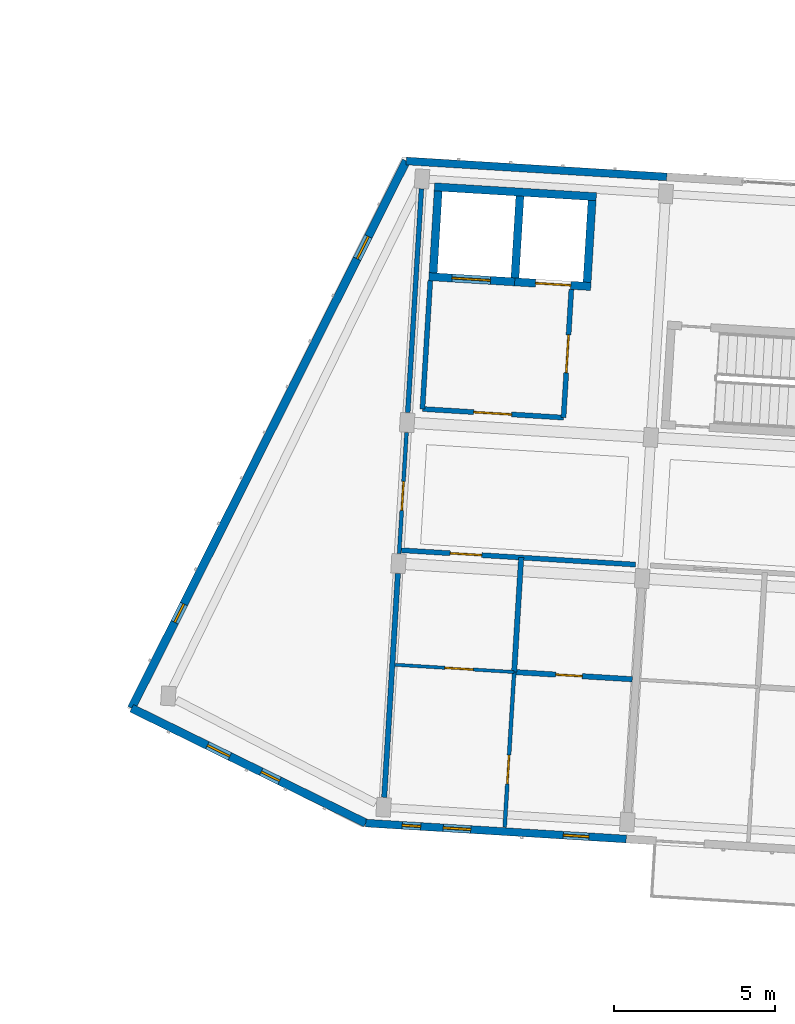
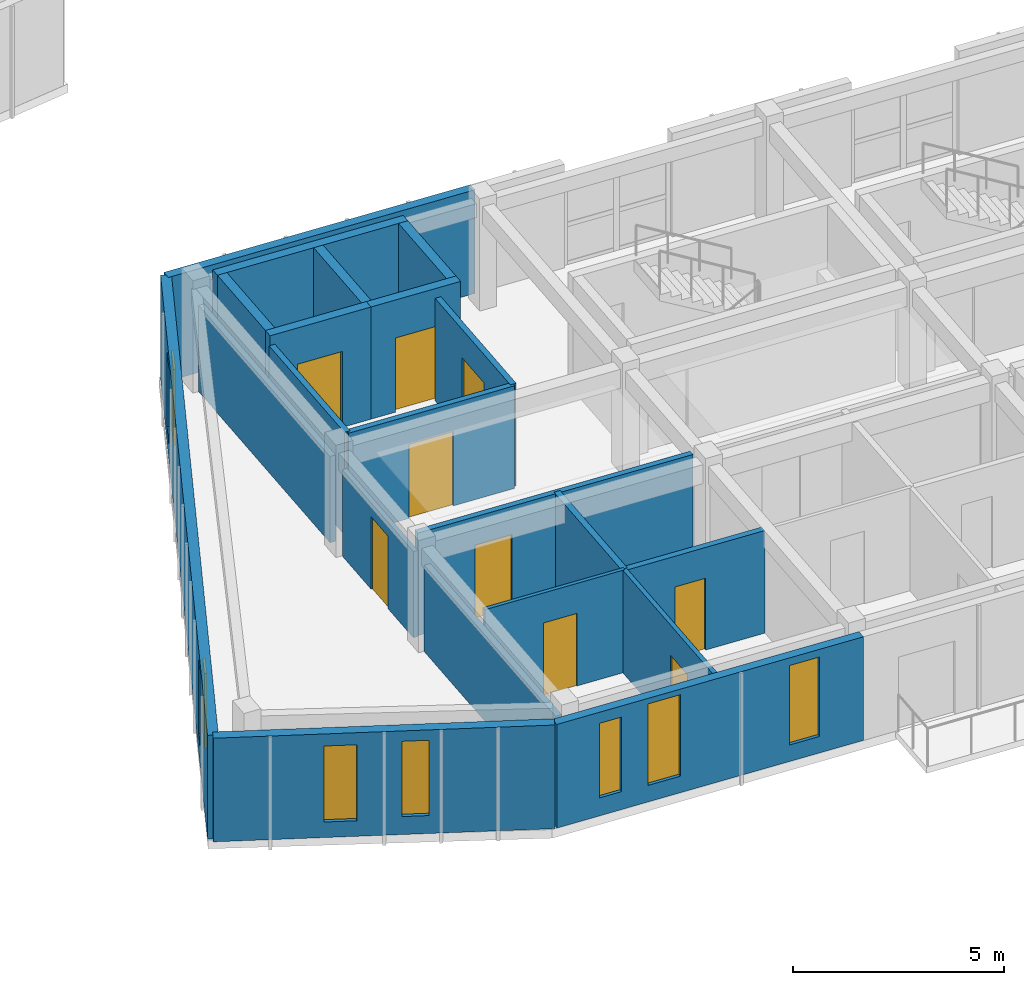
# One storey, part 20 of 64: 21 walls, 9 doors, 7 windows, 16 openings.
"""IFC4 building model written with IfcOpenShell, lengths in metres."""

from ifc_helpers import new_model, si_unit, direction, frame, frame_2d, origin, place, context, subcontext, project, spatial, rectangle, extrude, material, layer, layer_set, type_object, element, fill, save


model = new_model("IFC4")

# Units and contexts
model_context = context("Model", 3, precision=1e-05, world=origin(), true_north=direction((0.0, 1.0)))
body_context = subcontext(model_context, "Body", "Model", "MODEL_VIEW")
ifc_project = project(units=[si_unit("LENGTHUNIT", "METRE"), si_unit("AREAUNIT", "SQUARE_METRE"), si_unit("VOLUMEUNIT", "CUBIC_METRE"), si_unit("PLANEANGLEUNIT", "RADIAN"), si_unit("MASSUNIT", "GRAM", prefix="KILO")], contexts=[model_context])

# Site, building, storey
site_placement = place(None, origin())
site = spatial("IfcSite", under=ifc_project, at=site_placement, CompositionType="ELEMENT")
building_placement = place(site_placement, origin())
building = spatial("IfcBuilding", under=site, at=building_placement, Name="Kestramere Prow Commons", CompositionType="ELEMENT")
storey_placement = place(building_placement, frame((0.0, 0.0, 24.64990234375)))
storey = spatial("IfcBuildingStorey", under=building, at=storey_placement, Name="L07", CompositionType="ELEMENT", Elevation=24.64990234375)

# Wall, openings, windows
ifc_material_1 = material(Name="Weathered Zinc-Titanium Standing-Seam Cladding")
ifc_layer_1 = layer(ifc_material_1, 0.260009765625)
ifc_layer_set_1 = layer_set([ifc_layer_1], Name="Weathered Zinc-Titanium Standing-Seam Cladding")
wall_type_1 = type_object("IfcWallType", Name="EW-PROW-260", PredefinedType="SOLIDWALL", material=ifc_layer_set_1)
wall_1_placement = place(storey_placement, frame((58.94384765625, 46.008056640625, 0.0), z_axis=(0.0, 0.0, 1.0), x_axis=(-0.897775054318, 0.440454256246, 0.0)))
wall_1 = element("IfcWall", 1, at=wall_1_placement, inside=storey, type_object=wall_type_1, Name="Block C L07 PRW-S Facet Wall", PredefinedType="SOLIDWALL", context=body_context, shape_type="SweptSolid", body=[
    extrude(rectangle(XDim=8.120361328125, YDim=0.260009765625, at=frame_2d((4.06005859375, 0.0))), origin(), (0.0, 0.0, 1.0), 3.0),
])
opening_1_placement = place(wall_1_placement, frame((2.989990234375, 0.0, 0.52001953125)))
opening_1 = element("IfcOpeningElement", 2, at=opening_1_placement, cuts=wall_1, Name="Opening WN-04", PredefinedType="OPENING", context=body_context, shape_type="SweptSolid", body=[
    extrude(rectangle(XDim=0.639892578125, YDim=2.179931640625, at=frame_2d((0.31982421875, 1.08984375))), frame((0.0, 0.14501953125, 0.0), z_axis=(0.0, -1.0, 0.0), x_axis=(1.0, 0.0, 0.0)), (0.0, 0.0, 1.0), 0.2900390625),
])
opening_2_placement = place(wall_1_placement, frame((4.71044921875, 0.0, 0.449951171875)))
opening_2 = element("IfcOpeningElement", 3, at=opening_2_placement, cuts=wall_1, Name="Opening WN-11", PredefinedType="OPENING", context=body_context, shape_type="SweptSolid", body=[
    extrude(rectangle(XDim=0.780029296875, YDim=2.199951171875, at=frame_2d((0.39013671875, 1.10009765625))), frame((0.0, 0.14501953125, 0.0), z_axis=(0.0, -1.0, 0.0), x_axis=(1.0, 0.0, 0.0)), (0.0, 0.0, 1.0), 0.2900390625),
])
ifc_material_2 = material(Name="Low-E Laminated Double Glazing", Category="glass")
window_type_1 = type_object("IfcWindowType", Name="WN-NAR-640A", PartitioningType="SINGLE_PANEL", PredefinedType="WINDOW", material=ifc_material_2)
window_1_placement = place(opening_1_placement, origin())
window_1 = element("IfcWindow", 4, at=window_1_placement, inside=storey, type_object=window_type_1, Name="WN-C-L07-PRW-S-0", OverallHeight=2.179931640625, OverallWidth=0.639892578125, PartitioningType="SINGLE_PANEL", PredefinedType="WINDOW", context=body_context, shape_type="SweptSolid", body=[
    extrude(rectangle(XDim=0.639892578125, YDim=2.179931640625, at=frame_2d((0.31982421875, 1.08984375))), frame((0.0, 0.030029296875, 0.0), z_axis=(0.0, -1.0, 0.0), x_axis=(1.0, 0.0, 0.0)), (0.0, 0.0, 1.0), 0.06005859375),
])
fill(opening_1, window_1)
window_type_2 = type_object("IfcWindowType", Name="WN-NAR-780A", PartitioningType="SINGLE_PANEL", PredefinedType="WINDOW", material=ifc_material_2)
window_2_placement = place(opening_2_placement, origin())
window_2 = element("IfcWindow", 5, at=window_2_placement, inside=storey, type_object=window_type_2, Name="WN-C-L07-PRW-S-1", OverallHeight=2.199951171875, OverallWidth=0.780029296875, PartitioningType="SINGLE_PANEL", PredefinedType="WINDOW", context=body_context, shape_type="SweptSolid", body=[
    extrude(rectangle(XDim=0.780029296875, YDim=2.199951171875, at=frame_2d((0.39013671875, 1.10009765625))), frame((0.0, 0.030029296875, 0.0), z_axis=(0.0, -1.0, 0.0), x_axis=(1.0, 0.0, 0.0)), (0.0, 0.0, 1.0), 0.06005859375),
])
fill(opening_2, window_2)

wall_2_placement = place(storey_placement, frame((51.653564453125, 49.584716796875, 0.0), z_axis=(0.0, 0.0, 1.0), x_axis=(0.448621989068, 0.893721607059, 0.0)))
wall_2 = element("IfcWall", 6, at=wall_2_placement, inside=storey, type_object=wall_type_1, Name="Block C L07 PRW-N Facet Wall", PredefinedType="SOLIDWALL", context=body_context, shape_type="SweptSolid", body=[
    extrude(rectangle(XDim=19.060546875, YDim=0.260009765625, at=frame_2d((9.5302734375, 0.0))), origin(), (0.0, 0.0, 1.0), 3.0),
])
opening_3_placement = place(wall_2_placement, frame((2.989990234375, 0.0, 0.52001953125)))
opening_3 = element("IfcOpeningElement", 7, at=opening_3_placement, cuts=wall_2, Name="Opening WN-04", PredefinedType="OPENING", context=body_context, shape_type="SweptSolid", body=[
    extrude(rectangle(XDim=0.639892578125, YDim=2.179931640625, at=frame_2d((0.31982421875, 1.08984375))), frame((0.0, 0.14501953125, 0.0), z_axis=(0.0, -1.0, 0.0), x_axis=(1.0, 0.0, 0.0)), (0.0, 0.0, 1.0), 0.2900390625),
])
opening_4_placement = place(wall_2_placement, frame((15.650390625, 0.0, 0.449951171875)))
opening_4 = element("IfcOpeningElement", 8, at=opening_4_placement, cuts=wall_2, Name="Opening WN-11", PredefinedType="OPENING", context=body_context, shape_type="SweptSolid", body=[
    extrude(rectangle(XDim=0.780029296875, YDim=2.199951171875, at=frame_2d((0.39013671875, 1.10009765625))), frame((0.0, 0.14501953125, 0.0), z_axis=(0.0, -1.0, 0.0), x_axis=(1.0, 0.0, 0.0)), (0.0, 0.0, 1.0), 0.2900390625),
])
window_3_placement = place(opening_3_placement, origin())
window_3 = element("IfcWindow", 9, at=window_3_placement, inside=storey, type_object=window_type_1, Name="WN-C-L07-PRW-N-0", OverallHeight=2.179931640625, OverallWidth=0.639892578125, PartitioningType="SINGLE_PANEL", PredefinedType="WINDOW", context=body_context, shape_type="SweptSolid", body=[
    extrude(rectangle(XDim=0.639892578125, YDim=2.179931640625, at=frame_2d((0.31982421875, 1.08984375))), frame((0.0, 0.030029296875, 0.0), z_axis=(0.0, -1.0, 0.0), x_axis=(1.0, 0.0, 0.0)), (0.0, 0.0, 1.0), 0.06005859375),
])
fill(opening_3, window_3)
window_4_placement = place(opening_4_placement, origin())
window_4 = element("IfcWindow", 10, at=window_4_placement, inside=storey, type_object=window_type_2, Name="WN-C-L07-PRW-N-1", OverallHeight=2.199951171875, OverallWidth=0.780029296875, PartitioningType="SINGLE_PANEL", PredefinedType="WINDOW", context=body_context, shape_type="SweptSolid", body=[
    extrude(rectangle(XDim=0.780029296875, YDim=2.199951171875, at=frame_2d((0.39013671875, 1.10009765625))), frame((0.0, 0.030029296875, 0.0), z_axis=(0.0, -1.0, 0.0), x_axis=(1.0, 0.0, 0.0)), (0.0, 0.0, 1.0), 0.06005859375),
])
fill(opening_4, window_4)

ifc_material_3 = material(Name="Fluoropolymer Standing-Seam Zinc-Aluminium Cladding", Category="aluminium")
ifc_layer_2 = layer(ifc_material_3, 0.239990234375)
ifc_layer_set_2 = layer_set([ifc_layer_2], Name="Fluoropolymer Standing-Seam Zinc-Aluminium Cladding")
wall_type_2 = type_object("IfcWallType", Name="EW-SEAM-240", PredefinedType="SOLIDWALL", material=ifc_layer_set_2)
wall_3_placement = place(storey_placement, frame((67.0537109375, 45.511962890625, 0.0), z_axis=(0.0, 0.0, 1.0), x_axis=(-0.998134248939, 0.061057522844, 0.0)))
wall_3 = element("IfcWall", 11, at=wall_3_placement, inside=storey, type_object=wall_type_2, Name="Block C L07 South Standing-Seam Wall 1", PredefinedType="SOLIDWALL", context=body_context, shape_type="SweptSolid", body=[
    extrude(rectangle(XDim=8.125, YDim=0.239990234375, at=frame_2d((4.0625, 0.0))), origin(), (0.0, 0.0, 1.0), 3.0),
])
opening_5_placement = place(wall_3_placement, frame((1.1640625, 0.0, 0.47998046875)))
opening_5 = element("IfcOpeningElement", 12, at=opening_5_placement, cuts=wall_3, Name="Opening WN-12", PredefinedType="OPENING", context=body_context, shape_type="SweptSolid", body=[
    extrude(rectangle(XDim=0.800048828125, YDim=2.300048828125, at=frame_2d((0.39990234375, 1.14990234375))), frame((0.0, 0.135009765625, 0.0), z_axis=(0.0, -1.0, 0.0), x_axis=(1.0, 0.0, 0.0)), (0.0, 0.0, 1.0), 0.27001953125),
])
opening_6_placement = place(wall_3_placement, frame((4.847900390625, 0.0, 0.47998046875)))
opening_6 = element("IfcOpeningElement", 13, at=opening_6_placement, cuts=wall_3, Name="Opening WN-15", PredefinedType="OPENING", context=body_context, shape_type="SweptSolid", body=[
    extrude(rectangle(XDim=0.860107421875, YDim=2.360107421875, at=frame_2d((0.43017578125, 1.18017578125))), frame((0.0, 0.135009765625, 0.0), z_axis=(0.0, -1.0, 0.0), x_axis=(1.0, 0.0, 0.0)), (0.0, 0.0, 1.0), 0.27001953125),
])
opening_7_placement = place(wall_3_placement, frame((6.409912109375, 0.0, 0.52001953125)))
opening_7 = element("IfcOpeningElement", 14, at=opening_7_placement, cuts=wall_3, Name="Opening WN-01", PredefinedType="OPENING", context=body_context, shape_type="SweptSolid", body=[
    extrude(rectangle(XDim=0.580078125, YDim=2.159912109375, at=frame_2d((0.2900390625, 1.080078125))), frame((0.0, 0.135009765625, 0.0), z_axis=(0.0, -1.0, 0.0), x_axis=(1.0, 0.0, 0.0)), (0.0, 0.0, 1.0), 0.27001953125),
])
window_type_3 = type_object("IfcWindowType", Name="WN-NAR-580A", PartitioningType="SINGLE_PANEL", PredefinedType="WINDOW", material=ifc_material_2)
window_5_placement = place(opening_7_placement, origin())
window_5 = element("IfcWindow", 15, at=window_5_placement, inside=storey, type_object=window_type_3, Name="WN-C-L07-S-0-11", OverallHeight=2.159912109375, OverallWidth=0.580078125, PartitioningType="SINGLE_PANEL", PredefinedType="WINDOW", context=body_context, shape_type="SweptSolid", body=[
    extrude(rectangle(XDim=0.580078125, YDim=2.159912109375, at=frame_2d((0.2900390625, 1.080078125))), frame((0.0, 0.030029296875, 0.0), z_axis=(0.0, -1.0, 0.0), x_axis=(1.0, 0.0, 0.0)), (0.0, 0.0, 1.0), 0.06005859375),
])
fill(opening_7, window_5)
window_type_4 = type_object("IfcWindowType", Name="WN-NAR-800A", PartitioningType="SINGLE_PANEL", PredefinedType="WINDOW", material=ifc_material_2)
window_6_placement = place(opening_5_placement, origin())
window_6 = element("IfcWindow", 16, at=window_6_placement, inside=storey, type_object=window_type_4, Name="WN-C-L07-S-0-00", OverallHeight=2.300048828125, OverallWidth=0.800048828125, PartitioningType="SINGLE_PANEL", PredefinedType="WINDOW", context=body_context, shape_type="SweptSolid", body=[
    extrude(rectangle(XDim=0.800048828125, YDim=2.300048828125, at=frame_2d((0.39990234375, 1.14990234375))), frame((0.0, 0.030029296875, 0.0), z_axis=(0.0, -1.0, 0.0), x_axis=(1.0, 0.0, 0.0)), (0.0, 0.0, 1.0), 0.06005859375),
])
fill(opening_5, window_6)
window_type_5 = type_object("IfcWindowType", Name="WN-NAR-860A", PartitioningType="DOUBLE_PANEL_VERTICAL", PredefinedType="WINDOW", material=ifc_material_2)
window_7_placement = place(opening_6_placement, origin())
window_7 = element("IfcWindow", 17, at=window_7_placement, inside=storey, type_object=window_type_5, Name="WN-C-L07-S-0-10", OverallHeight=2.360107421875, OverallWidth=0.860107421875, PartitioningType="SINGLE_PANEL", PredefinedType="WINDOW", context=body_context, shape_type="SweptSolid", body=[
    extrude(rectangle(XDim=0.860107421875, YDim=2.360107421875, at=frame_2d((0.43017578125, 1.18017578125))), frame((0.0, 0.030029296875, 0.0), z_axis=(0.0, -1.0, 0.0), x_axis=(1.0, 0.0, 0.0)), (0.0, 0.0, 1.0), 0.06005859375),
])
fill(opening_6, window_7)

# Walls
wall_4_placement = place(storey_placement, frame((60.20458984375, 66.61962890625, 0.0), z_axis=(0.0, 0.0, 1.0), x_axis=(0.998134248939, -0.061057522844, 0.0)))
element("IfcWall", 18, at=wall_4_placement, inside=storey, type_object=wall_type_2, Name="Block C L07 North Standing-Seam Wall 1", PredefinedType="SOLIDWALL", context=body_context, shape_type="SweptSolid", body=[
    extrude(rectangle(XDim=8.125, YDim=0.239990234375, at=frame_2d((4.0625, 0.0))), origin(), (0.0, 0.0, 1.0), 3.0),
])
ifc_material_4 = material(Name="Concrete C40/50", Category="concrete")
ifc_layer_3 = layer(ifc_material_4, 0.25)
ifc_layer_set_3 = layer_set([ifc_layer_3], Name="Concrete C40/50")
wall_type_3 = type_object("IfcWallType", Name="W-CORE-250", PredefinedType="SHEAR", material=ifc_layer_set_3)
wall_5_placement = place(storey_placement, frame((61.08203125, 65.814453125, 0.0), z_axis=(0.0, 0.0, 1.0), x_axis=(0.998134101522, -0.061059932685, 0.0)))
element("IfcWall", 19, at=wall_5_placement, inside=storey, type_object=wall_type_3, Name="Block C L07 Lift Core Back Wall", PredefinedType="SHEAR", context=body_context, shape_type="SweptSolid", body=[
    extrude(rectangle(XDim=5.050048828125, YDim=0.25, at=frame_2d((2.52490234375, 0.0))), origin(), (0.0, 0.0, 1.0), 3.25),
])

# Wall, opening, door
wall_6_placement = place(storey_placement, frame((60.9111328125, 63.019775390625, 0.0), z_axis=(0.0, 0.0, 1.0), x_axis=(0.998134099905, -0.061059959111, 0.0)))
wall_6 = element("IfcWall", 20, at=wall_6_placement, inside=storey, type_object=wall_type_3, Name="Block C L07 Fire Lift Shaft Front Wall", PredefinedType="SHEAR", context=body_context, shape_type="SweptSolid", body=[
    extrude(rectangle(XDim=2.6748046875, YDim=0.25, at=frame_2d((1.33740234375, 0.0))), origin(), (0.0, 0.0, 1.0), 3.25),
])
opening_8_placement = place(wall_6_placement, frame((0.719970703125, 0.0, 0.0)))
opening_8 = element("IfcOpeningElement", 21, at=opening_8_placement, cuts=wall_6, Name="Opening LD-02", PredefinedType="OPENING", context=body_context, shape_type="SweptSolid", body=[
    extrude(rectangle(XDim=1.199951171875, YDim=2.199951171875, at=frame_2d((0.60009765625, 1.10009765625))), frame((0.0, 0.139892578125, 0.0), z_axis=(0.0, -1.0, 0.0), x_axis=(1.0, 0.0, 0.0)), (0.0, 0.0, 1.0), 0.280029296875),
])
ifc_material_5 = material(Name="Brushed Stainless Steel 316", Category="steel")
door_type_1 = type_object("IfcDoorType", Name="LD-02", OperationType="DOUBLE_DOOR_SLIDING", PredefinedType="DOOR", material=ifc_material_5)
door_1_placement = place(opening_8_placement, origin())
door_1 = element("IfcDoor", 22, at=door_1_placement, inside=storey, type_object=door_type_1, Name="FL-C1 L07 Lift Landing Door", OperationType="DOUBLE_DOOR_SLIDING", OverallHeight=2.199951171875, OverallWidth=1.199951171875, PredefinedType="DOOR", context=body_context, shape_type="SweptSolid", body=[
    extrude(rectangle(XDim=1.199951171875, YDim=2.199951171875, at=frame_2d((0.60009765625, 1.10009765625))), frame((0.0, 0.02490234375, 0.0), z_axis=(0.0, -1.0, 0.0), x_axis=(1.0, 0.0, 0.0)), (0.0, 0.0, 1.0), 0.050048828125),
])
fill(opening_8, door_1)

wall_7_placement = place(storey_placement, frame((63.5810546875, 62.8564453125, 0.0), z_axis=(0.0, 0.0, 1.0), x_axis=(0.998134103342, -0.061059902923, 0.0)))
wall_7 = element("IfcWall", 23, at=wall_7_placement, inside=storey, type_object=wall_type_3, Name="Block C L07 Passenger Lift Shaft Front Wall", PredefinedType="SHEAR", context=body_context, shape_type="SweptSolid", body=[
    extrude(rectangle(XDim=2.375, YDim=0.25, at=frame_2d((1.1875, 0.0))), origin(), (0.0, 0.0, 1.0), 3.25),
])
opening_9_placement = place(wall_7_placement, frame((0.64990234375, 0.0, 0.0)))
opening_9 = element("IfcOpeningElement", 24, at=opening_9_placement, cuts=wall_7, Name="Opening LD-01", PredefinedType="OPENING", context=body_context, shape_type="SweptSolid", body=[
    extrude(rectangle(XDim=1.10009765625, YDim=2.14990234375, at=frame_2d((0.550048828125, 1.074951171875))), frame((0.0, 0.139892578125, 0.0), z_axis=(0.0, -1.0, 0.0), x_axis=(1.0, 0.0, 0.0)), (0.0, 0.0, 1.0), 0.280029296875),
])
ifc_material_6 = material(Name="Brushed Stainless Steel 304", Category="steel")
door_type_2 = type_object("IfcDoorType", Name="LD-01", OperationType="DOUBLE_DOOR_SLIDING", PredefinedType="DOOR", material=ifc_material_6)
door_2_placement = place(opening_9_placement, origin())
door_2 = element("IfcDoor", 25, at=door_2_placement, inside=storey, type_object=door_type_2, Name="PL-C2 L07 Lift Landing Door", OperationType="DOUBLE_DOOR_SLIDING", OverallHeight=2.14990234375, OverallWidth=1.10009765625, PredefinedType="DOOR", context=body_context, shape_type="SweptSolid", body=[
    extrude(rectangle(XDim=1.10009765625, YDim=2.14990234375, at=frame_2d((0.550048828125, 1.074951171875))), frame((0.0, 0.02490234375, 0.0), z_axis=(0.0, -1.0, 0.0), x_axis=(1.0, 0.0, 0.0)), (0.0, 0.0, 1.0), 0.050048828125),
])
fill(opening_9, door_2)

# Walls
wall_8_placement = place(storey_placement, frame((61.04345703125, 63.13671875, 0.0), z_axis=(0.0, 0.0, 1.0), x_axis=(0.061078919587, 0.998132939834, 0.0)))
element("IfcWall", 26, at=wall_8_placement, inside=storey, type_object=wall_type_3, Name="Block C L07 Lift Core Side Wall L", PredefinedType="SHEAR", context=body_context, shape_type="SweptSolid", body=[
    extrude(rectangle(XDim=2.55029296875, YDim=0.25, at=frame_2d((1.275146484375, 0.0))), origin(), (0.0, 0.0, 1.0), 3.25),
])
wall_9_placement = place(storey_placement, frame((63.5888671875, 62.981201171875, 0.0), z_axis=(0.0, 0.0, 1.0), x_axis=(0.060989368901, 0.998138415692, 0.0)))
element("IfcWall", 27, at=wall_9_placement, inside=storey, type_object=wall_type_3, Name="Block C L07 Lift Core Side Wall M", PredefinedType="SHEAR", context=body_context, shape_type="SweptSolid", body=[
    extrude(rectangle(XDim=2.5498046875, YDim=0.25, at=frame_2d((1.27490234375, 0.0))), origin(), (0.0, 0.0, 1.0), 3.25),
])
wall_10_placement = place(storey_placement, frame((65.83447265625, 62.84375, 0.0), z_axis=(0.0, 0.0, 1.0), x_axis=(0.061084756616, 0.998132582631, 0.0)))
element("IfcWall", 28, at=wall_10_placement, inside=storey, type_object=wall_type_3, Name="Block C L07 Lift Core Side Wall R", PredefinedType="SHEAR", context=body_context, shape_type="SweptSolid", body=[
    extrude(rectangle(XDim=2.550048828125, YDim=0.25, at=frame_2d((1.27490234375, 0.0))), origin(), (0.0, 0.0, 1.0), 3.25),
])

# Wall, opening, door
ifc_material_7 = material(Name="Fire-Rated Calcium Silicate Wall")
ifc_layer_4 = layer(ifc_material_7, 0.155029296875)
ifc_layer_set_4 = layer_set([ifc_layer_4], Name="Fire-Rated Calcium Silicate Wall")
wall_type_4 = type_object("IfcWallType", Name="W-FIRE-150", PredefinedType="PARTITIONING", material=ifc_layer_set_4)
wall_11_placement = place(storey_placement, frame((60.709228515625, 58.8994140625, 0.0), z_axis=(0.0, 0.0, 1.0), x_axis=(0.998132276607, -0.061089756882, 0.0)))
wall_11 = element("IfcWall", 29, at=wall_11_placement, inside=storey, type_object=wall_type_4, Name="Interior Partition PW-C-L07-FFL-S", PredefinedType="PARTITIONING", context=body_context, shape_type="SweptSolid", body=[
    extrude(rectangle(XDim=4.400146484375, YDim=0.155029296875, at=frame_2d((2.2001953125, 0.0))), origin(), (0.0, 0.0, 1.0), 2.97021484375),
])
opening_10_placement = place(wall_11_placement, frame((1.60009765625, 0.0, 0.0)))
opening_10 = element("IfcOpeningElement", 30, at=opening_10_placement, cuts=wall_11, Name="Opening ID-03", PredefinedType="OPENING", context=body_context, shape_type="SweptSolid", body=[
    extrude(rectangle(XDim=1.179931640625, YDim=2.14990234375, at=frame_2d((0.58984375, 1.074951171875))), frame((0.0, 0.092529296875, 0.0), z_axis=(0.0, -1.0, 0.0), x_axis=(1.0, 0.0, 0.0)), (0.0, 0.0, 1.0), 0.18505859375),
])
ifc_material_8 = material(Name="Fire-Rated Glazed Smoke-Stop Door")
door_type_3 = type_object("IfcDoorType", Name="FD-LB-01", OperationType="NOTDEFINED", PredefinedType="DOOR", material=ifc_material_8)
door_3_placement = place(opening_10_placement, origin())
door_3 = element("IfcDoor", 31, at=door_3_placement, inside=storey, type_object=door_type_3, Name="Interior Door DR-C-L07-FFL", OperationType="SINGLE_SWING_RIGHT", OverallHeight=2.14990234375, OverallWidth=1.179931640625, PredefinedType="DOOR", context=body_context, shape_type="SweptSolid", body=[
    extrude(rectangle(XDim=1.179931640625, YDim=2.14990234375, at=frame_2d((0.58984375, 1.074951171875))), frame((0.0, 0.02490234375, 0.0), z_axis=(0.0, -1.0, 0.0), x_axis=(1.0, 0.0, 0.0)), (0.0, 0.0, 1.0), 0.050048828125),
])
fill(opening_10, door_3)

# Wall
wall_12_placement = place(storey_placement, frame((60.709228515625, 58.8994140625, 0.0), z_axis=(0.0, 0.0, 1.0), x_axis=(0.061036844229, 0.998135513669, 0.0)))
element("IfcWall", 32, at=wall_12_placement, inside=storey, type_object=wall_type_4, Name="Interior Partition PW-C-L07-FFL-W", PredefinedType="PARTITIONING", context=body_context, shape_type="SweptSolid", body=[
    extrude(rectangle(XDim=4.0, YDim=0.155029296875, at=frame_2d((2.0, 0.0))), origin(), (0.0, 0.0, 1.0), 2.97021484375),
])

# Wall, opening, door
wall_13_placement = place(storey_placement, frame((65.10107421875, 58.630615234375, 0.0), z_axis=(0.0, 0.0, 1.0), x_axis=(0.061033125904, 0.99813574104, 0.0)))
wall_13 = element("IfcWall", 33, at=wall_13_placement, inside=storey, type_object=wall_type_4, Name="Interior Partition PW-C-L07-FFL-E", PredefinedType="PARTITIONING", context=body_context, shape_type="SweptSolid", body=[
    extrude(rectangle(XDim=4.000244140625, YDim=0.155029296875, at=frame_2d((2.0, 0.0))), origin(), (0.0, 0.0, 1.0), 2.97021484375),
])
opening_11_placement = place(wall_13_placement, frame((1.39990234375, 0.0, 0.0)))
opening_11 = element("IfcOpeningElement", 34, at=opening_11_placement, cuts=wall_13, Name="Opening ID-03", PredefinedType="OPENING", context=body_context, shape_type="SweptSolid", body=[
    extrude(rectangle(XDim=1.179931640625, YDim=2.14990234375, at=frame_2d((0.58984375, 1.074951171875))), frame((0.0, 0.092529296875, 0.0), z_axis=(0.0, -1.0, 0.0), x_axis=(1.0, 0.0, 0.0)), (0.0, 0.0, 1.0), 0.18505859375),
])
door_4_placement = place(opening_11_placement, origin())
door_4 = element("IfcDoor", 35, at=door_4_placement, inside=storey, type_object=door_type_3, Name="Interior Door DR-C-L07-FFL-PL", OperationType="SINGLE_SWING_LEFT", OverallHeight=2.14990234375, OverallWidth=1.179931640625, PredefinedType="DOOR", context=body_context, shape_type="SweptSolid", body=[
    extrude(rectangle(XDim=1.179931640625, YDim=2.14990234375, at=frame_2d((0.58984375, 1.074951171875))), frame((0.0, 0.02490234375, 0.0), z_axis=(0.0, -1.0, 0.0), x_axis=(1.0, 0.0, 0.0)), (0.0, 0.0, 1.0), 0.050048828125),
])
fill(opening_11, door_4)

wall_14_placement = place(storey_placement, frame((60.0595703125, 54.500732421875, 0.0), z_axis=(0.0, 0.0, 1.0), x_axis=(0.998135030865, -0.061044739012, 0.0)))
wall_14 = element("IfcWall", 36, at=wall_14_placement, inside=storey, type_object=wall_type_4, Name="Interior Partition PW-C-L07-CS-0", PredefinedType="PARTITIONING", context=body_context, shape_type="SweptSolid", body=[
    extrude(rectangle(XDim=7.294921875, YDim=0.155029296875, at=frame_2d((3.6474609375, 0.0))), origin(), (0.0, 0.0, 1.0), 2.97021484375),
])
opening_12_placement = place(wall_14_placement, frame((1.52001953125, 0.0, 0.0)))
opening_12 = element("IfcOpeningElement", 37, at=opening_12_placement, cuts=wall_14, Name="Opening ID-04", PredefinedType="OPENING", context=body_context, shape_type="SweptSolid", body=[
    extrude(rectangle(XDim=0.97998046875, YDim=2.14990234375, at=frame_2d((0.489990234375, 1.074951171875))), frame((0.0, 0.092529296875, 0.0), z_axis=(0.0, -1.0, 0.0), x_axis=(1.0, 0.0, 0.0)), (0.0, 0.0, 1.0), 0.18505859375),
])
ifc_material_9 = material(Name="Hardwood Fire-Rated Flat Entrance Door", Category="wood")
door_type_4 = type_object("IfcDoorType", Name="FD-ENT-01", OperationType="NOTDEFINED", PredefinedType="DOOR", material=ifc_material_9)
door_5_placement = place(opening_12_placement, origin())
door_5 = element("IfcDoor", 38, at=door_5_placement, inside=storey, type_object=door_type_4, Name="Interior Door DR-C-L07-ENT-S0", OperationType="SINGLE_SWING_RIGHT", OverallHeight=2.14990234375, OverallWidth=0.97998046875, PredefinedType="DOOR", context=body_context, shape_type="SweptSolid", body=[
    extrude(rectangle(XDim=0.97998046875, YDim=2.14990234375, at=frame_2d((0.489990234375, 1.074951171875))), frame((0.0, 0.02490234375, 0.0), z_axis=(0.0, -1.0, 0.0), x_axis=(1.0, 0.0, 0.0)), (0.0, 0.0, 1.0), 0.050048828125),
])
fill(opening_12, door_5)

ifc_material_10 = material(Name="Gypsum Acoustic Drywall")
ifc_layer_5 = layer(ifc_material_10, 0.10009765625)
ifc_layer_set_5 = layer_set([ifc_layer_5], Name="Gypsum Acoustic Drywall")
wall_type_5 = type_object("IfcWallType", Name="W-PART-100", PredefinedType="PARTITIONING", material=ifc_layer_set_5)
wall_15_placement = place(storey_placement, frame((59.861572265625, 50.936279296875, 0.0), z_axis=(0.0, 0.0, 1.0), x_axis=(0.998133653934, -0.061067248869, 0.0)))
wall_15 = element("IfcWall", 39, at=wall_15_placement, inside=storey, type_object=wall_type_5, Name="Interior Partition PW-C-L07-MIDS1-0", PredefinedType="PARTITIONING", context=body_context, shape_type="SweptSolid", body=[
    extrude(rectangle(XDim=3.7099609375, YDim=0.10009765625, at=frame_2d((1.85498046875, 0.0))), origin(), (0.0, 0.0, 1.0), 2.97021484375),
])
opening_13_placement = place(wall_15_placement, frame((1.550048828125, 0.0, 0.0)))
opening_13 = element("IfcOpeningElement", 40, at=opening_13_placement, cuts=wall_15, Name="Opening ID-10", PredefinedType="OPENING", context=body_context, shape_type="SweptSolid", body=[
    extrude(rectangle(XDim=0.8798828125, YDim=2.10009765625, at=frame_2d((0.43994140625, 1.050048828125))), frame((0.0, 0.06494140625, 0.0), z_axis=(0.0, -1.0, 0.0), x_axis=(1.0, 0.0, 0.0)), (0.0, 0.0, 1.0), 0.130126953125),
])
ifc_material_11 = material(Name="Engineered Timber Bedroom Door", Category="wood")
door_type_5 = type_object("IfcDoorType", Name="D-RM-03", OperationType="NOTDEFINED", PredefinedType="DOOR", material=ifc_material_11)
door_6_placement = place(opening_13_placement, origin())
door_6 = element("IfcDoor", 41, at=door_6_placement, inside=storey, type_object=door_type_5, Name="Interior Door DR-C-L07-KL-S0", OperationType="SINGLE_SWING_RIGHT", OverallHeight=2.10009765625, OverallWidth=0.8798828125, PredefinedType="DOOR", context=body_context, shape_type="SweptSolid", body=[
    extrude(rectangle(XDim=0.8798828125, YDim=2.10009765625, at=frame_2d((0.43994140625, 1.050048828125))), frame((0.0, 0.02490234375, 0.0), z_axis=(0.0, -1.0, 0.0), x_axis=(1.0, 0.0, 0.0)), (0.0, 0.0, 1.0), 0.050048828125),
])
fill(opening_13, door_6)

ifc_material_12 = material(Name="Lightweight Blockwork and Plaster", Category="masonry")
ifc_layer_6 = layer(ifc_material_12, 0.1201171875)
ifc_layer_set_6 = layer_set([ifc_layer_6], Name="Lightweight Blockwork and Plaster")
wall_type_6 = type_object("IfcWallType", Name="W-PART-120", PredefinedType="PARTITIONING", material=ifc_layer_set_6)
wall_16_placement = place(storey_placement, frame((59.98291015625, 54.395263671875, 0.0), z_axis=(0.0, 0.0, 1.0), x_axis=(0.061035211258, 0.998135613525, 0.0)))
wall_16 = element("IfcWall", 42, at=wall_16_placement, inside=storey, type_object=wall_type_6, Name="Interior Partition PW-C-L07-PROW-ACC", PredefinedType="PARTITIONING", context=body_context, shape_type="SweptSolid", body=[
    extrude(rectangle(XDim=3.780029296875, YDim=0.1201171875, at=frame_2d((1.89013671875, 0.0))), origin(), (0.0, 0.0, 1.0), 2.5),
])
opening_14_placement = place(wall_16_placement, frame((1.35009765625, 0.0, 0.0)))
opening_14 = element("IfcOpeningElement", 43, at=opening_14_placement, cuts=wall_16, Name="Opening ID-08", PredefinedType="OPENING", context=body_context, shape_type="SweptSolid", body=[
    extrude(rectangle(XDim=0.89990234375, YDim=2.10009765625, at=frame_2d((0.449951171875, 1.050048828125))), frame((0.0, 0.074951171875, 0.0), z_axis=(0.0, -1.0, 0.0), x_axis=(1.0, 0.0, 0.0)), (0.0, 0.0, 1.0), 0.150146484375),
])
ifc_material_13 = material(Name="Engineered Timber Flush Door", Category="wood")
door_type_6 = type_object("IfcDoorType", Name="D-RM-01", OperationType="NOTDEFINED", PredefinedType="DOOR", material=ifc_material_13)
door_7_placement = place(opening_14_placement, origin())
door_7 = element("IfcDoor", 44, at=door_7_placement, inside=storey, type_object=door_type_6, Name="Interior Door DR-C-L07-PROW", OperationType="SINGLE_SWING_LEFT", OverallHeight=2.10009765625, OverallWidth=0.89990234375, PredefinedType="DOOR", context=body_context, shape_type="SweptSolid", body=[
    extrude(rectangle(XDim=0.89990234375, YDim=2.10009765625, at=frame_2d((0.449951171875, 1.050048828125))), frame((0.0, 0.02490234375, 0.0), z_axis=(0.0, -1.0, 0.0), x_axis=(1.0, 0.0, 0.0)), (0.0, 0.0, 1.0), 0.050048828125),
])
fill(opening_14, door_7)

wall_17_placement = place(storey_placement, frame((63.26904296875, 45.878662109375, 0.0), z_axis=(0.0, 0.0, 1.0), x_axis=(0.061084424005, 0.998132602986, 0.0)))
wall_17 = element("IfcWall", 45, at=wall_17_placement, inside=storey, type_object=wall_type_6, Name="Interior Partition PW-C-L07-LB-S0", PredefinedType="PARTITIONING", context=body_context, shape_type="SweptSolid", body=[
    extrude(rectangle(XDim=4.840087890625, YDim=0.1201171875, at=frame_2d((2.419921875, 0.0))), origin(), (0.0, 0.0, 1.0), 2.97021484375),
])
opening_15_placement = place(wall_17_placement, frame((1.35009765625, 0.0, 0.0)))
opening_15 = element("IfcOpeningElement", 46, at=opening_15_placement, cuts=wall_17, Name="Opening ID-08", PredefinedType="OPENING", context=body_context, shape_type="SweptSolid", body=[
    extrude(rectangle(XDim=0.89990234375, YDim=2.10009765625, at=frame_2d((0.449951171875, 1.050048828125))), frame((0.0, 0.074951171875, 0.0), z_axis=(0.0, -1.0, 0.0), x_axis=(1.0, 0.0, 0.0)), (0.0, 0.0, 1.0), 0.150146484375),
])
door_8_placement = place(opening_15_placement, origin())
door_8 = element("IfcDoor", 47, at=door_8_placement, inside=storey, type_object=door_type_6, Name="Interior Door DR-C-L07-BED-S0", OperationType="SINGLE_SWING_LEFT", OverallHeight=2.10009765625, OverallWidth=0.89990234375, PredefinedType="DOOR", context=body_context, shape_type="SweptSolid", body=[
    extrude(rectangle(XDim=0.89990234375, YDim=2.10009765625, at=frame_2d((0.449951171875, 1.050048828125))), frame((0.0, 0.02490234375, 0.0), z_axis=(0.0, -1.0, 0.0), x_axis=(1.0, 0.0, 0.0)), (0.0, 0.0, 1.0), 0.050048828125),
])
fill(opening_15, door_8)

# Walls
ifc_material_14 = material(Name="Masonry Compartment Wall", Category="masonry")
ifc_layer_7 = layer(ifc_material_14, 0.14990234375)
ifc_layer_set_7 = layer_set([ifc_layer_7], Name="Masonry Compartment Wall")
wall_type_7 = type_object("IfcWallType", Name="W-PART-150", PredefinedType="PARTITIONING", material=ifc_layer_set_7)
wall_18_placement = place(storey_placement, frame((60.25146484375, 58.787109375, 0.0), z_axis=(0.0, 0.0, 1.0), x_axis=(0.061071659957, 0.998133384047, 0.0)))
element("IfcWall", 48, at=wall_18_placement, inside=storey, type_object=wall_type_7, Name="Interior Partition PW-C-L07-PRW-N", PredefinedType="PARTITIONING", context=body_context, shape_type="SweptSolid", body=[
    extrude(rectangle(XDim=6.979736328125, YDim=0.14990234375, at=frame_2d((3.48974609375, 0.0))), origin(), (0.0, 0.0, 1.0), 2.5),
])
ifc_material_15 = material(Name="Waterproof Sanitary Masonry Wall", Category="masonry")
ifc_layer_8 = layer(ifc_material_15, 0.1650390625)
ifc_layer_set_8 = layer_set([ifc_layer_8], Name="Waterproof Sanitary Masonry Wall")
wall_type_8 = type_object("IfcWallType", Name="W-PLUMB-150", PredefinedType="PLUMBINGWALL", material=ifc_layer_set_8)
wall_19_placement = place(storey_placement, frame((59.51904296875, 46.809326171875, 0.0), z_axis=(0.0, 0.0, 1.0), x_axis=(0.061034681366, 0.998135645927, 0.0)))
element("IfcWall", 49, at=wall_19_placement, inside=storey, type_object=wall_type_8, Name="Interior Partition PW-C-L07-PRWW-S", PredefinedType="PLUMBINGWALL", context=body_context, shape_type="SweptSolid", body=[
    extrude(rectangle(XDim=6.97998046875, YDim=0.1650390625, at=frame_2d((3.489990234375, 0.0))), origin(), (0.0, 0.0, 1.0), 2.5),
])

# Wall, opening, door
wall_20_placement = place(storey_placement, frame((63.564697265625, 50.709716796875, 0.0), z_axis=(0.0, 0.0, 1.0), x_axis=(0.998136472989, -0.061021154439, 0.0)))
wall_20 = element("IfcWall", 50, at=wall_20_placement, inside=storey, type_object=wall_type_8, Name="Interior Partition PW-C-L07-MIDS2-0", PredefinedType="PLUMBINGWALL", context=body_context, shape_type="SweptSolid", body=[
    extrude(rectangle(XDim=3.684814453125, YDim=0.1650390625, at=frame_2d((1.84228515625, 0.0))), origin(), (0.0, 0.0, 1.0), 2.97021484375),
])
opening_16_placement = place(wall_20_placement, frame((1.300048828125, 0.0, 0.0)))
opening_16 = element("IfcOpeningElement", 51, at=opening_16_placement, cuts=wall_20, Name="Opening ID-11", PredefinedType="OPENING", context=body_context, shape_type="SweptSolid", body=[
    extrude(rectangle(XDim=0.820068359375, YDim=2.080078125, at=frame_2d((0.41015625, 1.0400390625))), frame((0.0, 0.097412109375, 0.0), z_axis=(0.0, -1.0, 0.0), x_axis=(1.0, 0.0, 0.0)), (0.0, 0.0, 1.0), 0.195068359375),
])
ifc_material_16 = material(Name="Moisture-Resistant Timber Bathroom Door", Category="wood")
door_type_7 = type_object("IfcDoorType", Name="D-BT-01", OperationType="NOTDEFINED", PredefinedType="DOOR", material=ifc_material_16)
door_9_placement = place(opening_16_placement, origin())
door_9 = element("IfcDoor", 52, at=door_9_placement, inside=storey, type_object=door_type_7, Name="Interior Door DR-C-L07-BTH-S0", OperationType="SINGLE_SWING_LEFT", OverallHeight=2.080078125, OverallWidth=0.820068359375, PredefinedType="DOOR", context=body_context, shape_type="SweptSolid", body=[
    extrude(rectangle(XDim=0.820068359375, YDim=2.080078125, at=frame_2d((0.41015625, 1.0400390625))), frame((0.0, 0.02490234375, 0.0), z_axis=(0.0, -1.0, 0.0), x_axis=(1.0, 0.0, 0.0)), (0.0, 0.0, 1.0), 0.050048828125),
])
fill(opening_16, door_9)

# Wall
wall_21_placement = place(storey_placement, frame((63.564697265625, 50.709716796875, 0.0), z_axis=(0.0, 0.0, 1.0), x_axis=(0.06100299582, 0.998137582952, 0.0)))
element("IfcWall", 53, at=wall_21_placement, inside=storey, type_object=wall_type_8, Name="Interior Partition PW-C-L07-KB-S0", PredefinedType="PLUMBINGWALL", context=body_context, shape_type="SweptSolid", body=[
    extrude(rectangle(XDim=3.56982421875, YDim=0.1650390625, at=frame_2d((1.784912109375, 0.0))), origin(), (0.0, 0.0, 1.0), 2.97021484375),
])

save(model, "model.ifc")
